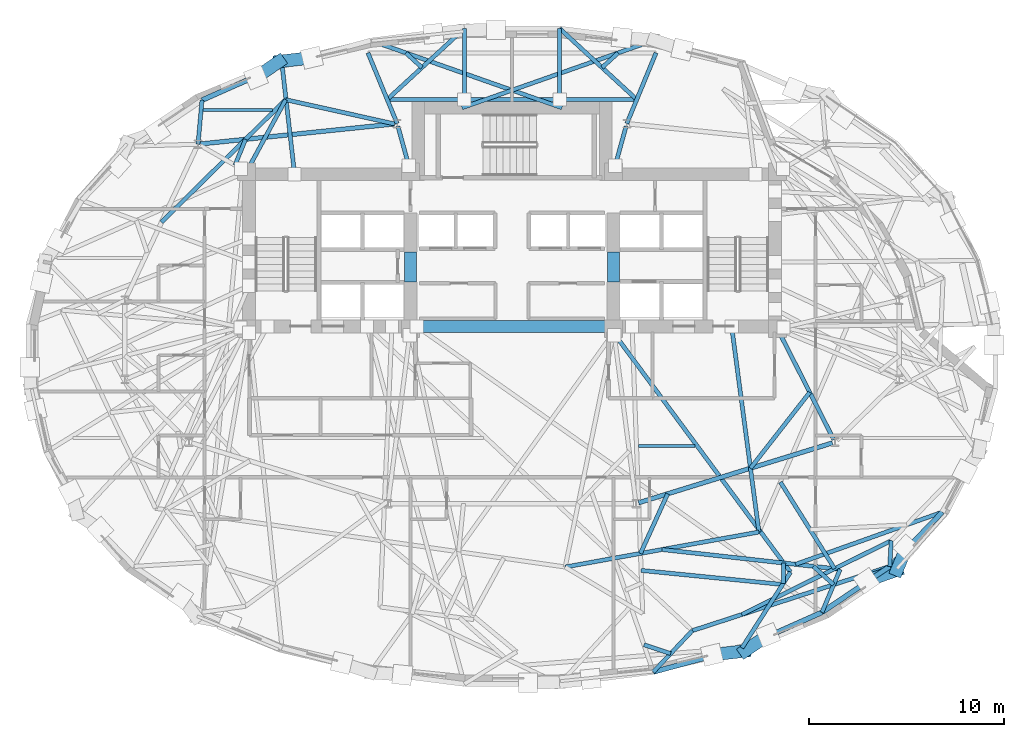
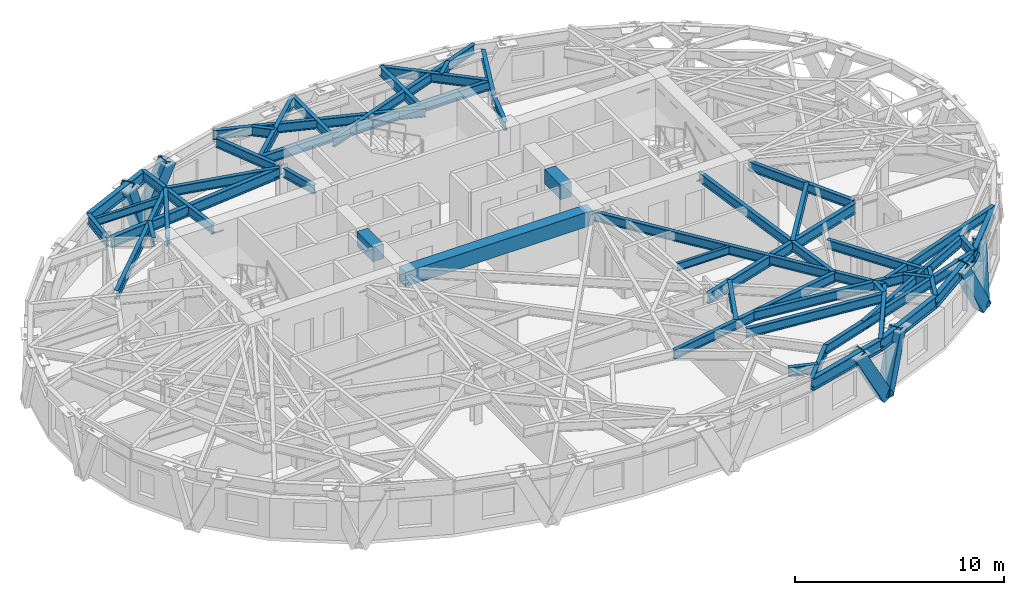
# One storey, part 3 of 15: 50 beams, 6 members.
"""IFC4 building model written with IfcOpenShell, lengths in metres."""

import ifcopenshell
import ifcopenshell.guid

model = None  # the IFC model being written
_history = None  # IfcOwnerHistory: only IFC2X3 demands one
_inside = {}  # id of a spatial element -> (the spatial element, [elements in it])
_under = {}  # id of a project, library or spatial element -> (it, [spatial elements below it])
_declared = {}  # id of a project -> (the project, [libraries it declares])
_typed = {}  # id of a type object -> (the type object, [elements of that type])
_made_of = {}  # id of a material, layer set ... -> (it, [elements and type objects made of it])


def new_model(schema):
    """Start an empty IFC model of exactly this schema.

    Asked for "IFC4X3", IfcOpenShell would pick the latest addendum, in which some entities
    have other attributes; the version numbers below select the first issue.
    IFC2X3 requires an IfcOwnerHistory on every rooted entity: one is made here for all.
    """
    global model, _history
    if schema == "IFC4X3":
        model = ifcopenshell.file(schema_version=(4, 3, 0, 0))
    else:
        model = ifcopenshell.file(schema=schema)
    _inside.clear()
    _under.clear()
    _declared.clear()
    _typed.clear()
    _made_of.clear()
    _history = None
    if model.schema == "IFC2X3":
        org = make("IfcOrganization", Name="unknown")
        user = make(
            "IfcPersonAndOrganization",
            ThePerson=make("IfcPerson", FamilyName="unknown"),
            TheOrganization=org,
        )
        app = make(
            "IfcApplication",
            ApplicationDeveloper=org,
            Version="unknown",
            ApplicationFullName="unknown",
            ApplicationIdentifier="unknown",
        )
        _history = make(
            "IfcOwnerHistory",
            OwningUser=user,
            OwningApplication=app,
            ChangeAction="ADDED",
            CreationDate=0,
        )
    return model


def make(cls, **values):
    """One entity of the class cls with the attributes given. An attribute that is None is left unset."""
    return model.create_entity(
        cls, **{name: value for name, value in values.items() if value is not None}
    )


def rooted(cls, **values):
    """An entity with a GlobalId (a new one), such as an element, a storey or a relation."""
    return make(cls, GlobalId=ifcopenshell.guid.new(), OwnerHistory=_history, **values)


def si_unit(unit_type, name, prefix=None):
    """IfcSIUnit, for example si_unit("LENGTHUNIT", "METRE", prefix="MILLI")."""
    return make("IfcSIUnit", UnitType=unit_type, Prefix=prefix, Name=name)


def assignment(units):
    """IfcUnitAssignment: the units of a project."""
    return None if units is None else make("IfcUnitAssignment", Units=units)


def point(xyz):
    """IfcCartesianPoint."""
    return None if xyz is None else make("IfcCartesianPoint", Coordinates=xyz)


def direction(xyz):
    """IfcDirection."""
    return None if xyz is None else make("IfcDirection", DirectionRatios=xyz)


def frame(location, z_axis=None, x_axis=None):
    """IfcAxis2Placement3D, a coordinate frame: its origin and axes. An axis left out is left unset."""
    return make(
        "IfcAxis2Placement3D",
        Location=point(location),
        Axis=direction(z_axis),
        RefDirection=direction(x_axis),
    )


def frame_2d(location, x_axis=None):
    """IfcAxis2Placement2D, a coordinate frame in the plane: its origin and x axis."""
    return make(
        "IfcAxis2Placement2D", Location=point(location), RefDirection=direction(x_axis)
    )


def origin():
    """The frame at (0, 0, 0) with its axes left unset."""
    return frame((0.0, 0.0, 0.0))


def origin_2d():
    """The frame at (0, 0) in the plane with its x axis left unset."""
    return frame_2d((0.0, 0.0))


def place(relative_to, where):
    """IfcLocalPlacement: puts the frame where relative to a parent placement (None: the world)."""
    return make(
        "IfcLocalPlacement", PlacementRelTo=relative_to, RelativePlacement=where
    )


def context(
    kind, dimensions, precision=None, world=None, true_north=None, identifier=None
):
    """IfcGeometricRepresentationContext, for example the 3D "Model" context."""
    return make(
        "IfcGeometricRepresentationContext",
        ContextIdentifier=identifier,
        ContextType=kind,
        CoordinateSpaceDimension=dimensions,
        Precision=precision,
        WorldCoordinateSystem=world,
        TrueNorth=true_north,
    )


def subcontext(parent, identifier, kind, view, scale=None):
    """IfcGeometricRepresentationSubContext, for example "Body" below "Model"."""
    return make(
        "IfcGeometricRepresentationSubContext",
        ContextIdentifier=identifier,
        ContextType=kind,
        ParentContext=parent,
        TargetScale=scale,
        TargetView=view,
    )


def project(units=None, contexts=None):
    """IfcProject with its units and contexts."""
    return rooted(
        "IfcProject",
        Name="project",
        RepresentationContexts=contexts,
        UnitsInContext=assignment(units),
    )


def spatial(cls, under=None, at=None, **own):
    """A site, building, storey or space (cls), placed at a placement, below another one or the project."""
    s = rooted(cls, ObjectPlacement=at, **own)
    if under is not None:
        _under.setdefault(under.id(), (under, []))[1].append(s)
    return s


def profile(cls, at=None, kind="AREA", **sizes):
    """A parametric profile (cls). Its sizes go by their IFC names, for example OverallWidth=200.0."""
    return make(cls, ProfileType=kind, Position=at, **sizes)


def rectangle(**sizes):
    """IfcRectangleProfileDef."""
    return profile("IfcRectangleProfileDef", **sizes)


def hollow_rectangle(**sizes):
    """IfcRectangleHollowProfileDef."""
    return profile("IfcRectangleHollowProfileDef", **sizes)


def i_section(**sizes):
    """IfcIShapeProfileDef."""
    return profile("IfcIShapeProfileDef", **sizes)


def extrude(swept, where, along, depth):
    """IfcExtrudedAreaSolid: the profile swept, set in the frame where, extruded along a direction by depth."""
    return make(
        "IfcExtrudedAreaSolid",
        SweptArea=swept,
        Position=where,
        ExtrudedDirection=direction(along),
        Depth=depth,
    )


def shape(context_of_items, identifier, shape_type, items):
    """IfcShapeRepresentation: the items that make up one representation, for example the "Body"."""
    return make(
        "IfcShapeRepresentation",
        ContextOfItems=context_of_items,
        RepresentationIdentifier=identifier,
        RepresentationType=shape_type,
        Items=items,
    )


def material(Name=None, Category=None):
    """IfcMaterial."""
    return make("IfcMaterial", Name=Name, Category=Category)


def material_profile(
    of_material, cross_section, Name=None, Category=None, Priority=None
):
    """IfcMaterialProfile: a cross section and its material."""
    return make(
        "IfcMaterialProfile",
        Name=Name,
        Material=of_material,
        Profile=cross_section,
        Priority=Priority,
        Category=Category,
    )


def profile_set(profiles, Name=None, composite=None):
    """IfcMaterialProfileSet."""
    return make(
        "IfcMaterialProfileSet",
        Name=Name,
        MaterialProfiles=profiles,
        CompositeProfile=composite,
    )


def made_of(thing, what):
    """Note that an element or type object is made of a material, layer set ...; save() writes the relation."""
    if what is not None:
        _made_of.setdefault(what.id(), (what, []))[1].append(thing)
    return thing


def type_object(cls, material=None, **own):
    """A type object (cls), such as IfcWallType, which elements share."""
    return made_of(rooted(cls, **own), material)


def element(
    cls,
    number,
    at=None,
    inside=None,
    cuts=None,
    type_object=None,
    material=None,
    context=None,
    identifier="Body",
    shape_type=None,
    held_by="IfcProductDefinitionShape",
    body=None,
    shapes=None,
    **own,
):
    """One element of the class cls, such as IfcWall. Its Tag is "e" and its number.

    at: its placement. inside: the storey or other place that contains it. cuts: it is an
    opening in that element (IfcRelVoidsElement). A single representation is given by context,
    identifier, shape_type and body (its items); several are given by shapes. held_by: the class
    of the entity that holds the representations. save() writes the other relations.
    """
    e = rooted(cls, Tag="e%d" % number, ObjectPlacement=at, **own)
    if body is not None:
        shapes = [shape(context, identifier, shape_type, body)]
    if shapes is not None:
        e.Representation = make(held_by, Representations=shapes)
    if inside is not None:
        _inside.setdefault(inside.id(), (inside, []))[1].append(e)
    if cuts is not None:
        rooted(
            "IfcRelVoidsElement", RelatingBuildingElement=cuts, RelatedOpeningElement=e
        )
    if type_object is not None:
        _typed.setdefault(type_object.id(), (type_object, []))[1].append(e)
    return made_of(e, material)


def aggregate(whole, parts):
    """IfcRelAggregates: a whole, such as a stair, and the parts it consists of."""
    return rooted("IfcRelAggregates", RelatingObject=whole, RelatedObjects=parts)


def save(model, path):
    """Write the relations noted so far, then the file.

    IfcRelAggregates (storeys below a building ...), IfcRelContainedInSpatialStructure (elements
    in a storey), IfcRelDefinesByType, IfcRelAssociatesMaterial and IfcRelDeclares: one each for
    every whole, place, type object, material and project.
    """
    for whole, parts in _under.values():
        aggregate(whole, parts)
    for where, things in _inside.values():
        rooted(
            "IfcRelContainedInSpatialStructure",
            RelatedElements=things,
            RelatingStructure=where,
        )
    for kind, things in _typed.values():
        rooted("IfcRelDefinesByType", RelatedObjects=things, RelatingType=kind)
    for what, things in _made_of.values():
        rooted("IfcRelAssociatesMaterial", RelatedObjects=things, RelatingMaterial=what)
    for by, libraries in _declared.values():
        rooted("IfcRelDeclares", RelatingContext=by, RelatedDefinitions=libraries)
    model.write(path)


model = new_model("IFC4")

# Units and contexts
model_context = context("Model", 3, precision=1e-05, world=origin(), true_north=direction((0.0, 1.0)))
body_context = subcontext(model_context, "Body", "Model", "MODEL_VIEW")
ifc_project = project(units=[si_unit("LENGTHUNIT", "METRE"), si_unit("AREAUNIT", "SQUARE_METRE"), si_unit("VOLUMEUNIT", "CUBIC_METRE"), si_unit("PLANEANGLEUNIT", "RADIAN"), si_unit("MASSUNIT", "GRAM", prefix="KILO")], contexts=[model_context])

# Site, building, storey
site_placement = place(None, origin())
site = spatial("IfcSite", under=ifc_project, at=site_placement, CompositionType="ELEMENT")
building_placement = place(site_placement, origin())
building = spatial("IfcBuilding", under=site, at=building_placement, Name="Keldmark Tower", CompositionType="ELEMENT")
storey_placement = place(building_placement, frame((0.0, 0.0, 156.60009765625)))
storey = spatial("IfcBuildingStorey", under=building, at=storey_placement, Name="L42", CompositionType="ELEMENT", Elevation=156.60009765625)

# Beams
ifc_material_1 = material(Name="Steel ASTM A992 Grade 50", Category="steel")
ifc_material_profile_1 = material_profile(ifc_material_1, i_section(OverallWidth=0.153076171875, OverallDepth=0.455078125, WebThickness=0.008056640625, FlangeThickness=0.01318359375, at=origin_2d()), Name="W18X40")
ifc_profile_set_1 = profile_set([ifc_material_profile_1], Name="Steel ASTM A992 Grade 50")
beam_type_1 = type_object("IfcBeamType", Name="Composite Floor Joist W18X40", PredefinedType="JOIST", material=ifc_profile_set_1)
beam_1_placement = place(storey_placement, frame((6.473388671875, -4.60009765625, 2.79248046875), z_axis=(1.0, 0.0, 0.0), x_axis=(0.0, 1.0, 0.0)))
element("IfcBeam", 1, at=beam_1_placement, inside=storey, type_object=beam_type_1, Name="L42 Composite Floor Joist J04", PredefinedType="JOIST", context=body_context, shape_type="SweptSolid", body=[
    extrude(i_section(OverallWidth=0.153076171875, OverallDepth=0.455078125, WebThickness=0.008056640625, FlangeThickness=0.01318359375, at=origin_2d()), origin(), (0.0, 0.0, 1.0), 2.89453125),
])
beam_2_placement = place(storey_placement, frame((-15.827880859375, 12.6201171875, 2.79248046875), z_axis=(1.0, 0.0, 0.0), x_axis=(0.0, 1.0, 0.0)))
element("IfcBeam", 2, at=beam_2_placement, inside=storey, type_object=beam_type_1, Name="L42 Composite Floor Joist J07", PredefinedType="JOIST", context=body_context, shape_type="SweptSolid", body=[
    extrude(i_section(OverallWidth=0.153076171875, OverallDepth=0.455078125, WebThickness=0.008056640625, FlangeThickness=0.01318359375, at=origin_2d()), origin(), (0.0, 0.0, 1.0), 3.567626953125),
])
ifc_material_2 = material(Name="Concrete C50/60", Category="concrete")
ifc_material_profile_2 = material_profile(ifc_material_2, rectangle(XDim=0.60009765625, YDim=0.85009765625, at=origin_2d()), Name="RCB600X850")
ifc_profile_set_2 = profile_set([ifc_material_profile_2], Name="Concrete C50/60")
beam_type_2 = type_object("IfcBeamType", Name="Core Coupling Beam RCB600X850", PredefinedType="USERDEFINED", material=ifc_profile_set_2)
for number, where, z_axis, x_axis, name in (
    (3, (-5.199951171875, 3.800048828125, 2.594970703125), (0.0, 1.0, 0.0), (-1.0, 0.0, 0.0), "L42 West Core Coupling Beam"),
    (4, (5.199951171875, 3.800048828125, 2.594970703125), (0.0, 1.0, 0.0), (-1.0, 0.0, 0.0), "L42 East Core Coupling Beam"),
):
    element("IfcBeam", number, at=place(storey_placement, frame(where, z_axis=z_axis, x_axis=x_axis)), inside=storey, type_object=beam_type_2, Name=name, ObjectType="COUPLING BEAM", PredefinedType="USERDEFINED", context=body_context, shape_type="SweptSolid", body=[
        extrude(rectangle(XDim=0.60009765625, YDim=0.85009765625, at=origin_2d()), origin(), (0.0, 0.0, 1.0), 1.550048828125),
    ])
beam_3_placement = place(storey_placement, frame((-5.199951171875, 1.52490234375, 2.594970703125), z_axis=(1.0, 0.0, 0.0), x_axis=(0.0, 1.0, 0.0)))
element("IfcBeam", 5, at=beam_3_placement, inside=storey, type_object=beam_type_2, Name="L42 Central South Core Coupling Beam", ObjectType="COUPLING BEAM", PredefinedType="USERDEFINED", context=body_context, shape_type="SweptSolid", body=[
    extrude(rectangle(XDim=0.60009765625, YDim=0.85009765625, at=origin_2d()), origin(), (0.0, 0.0, 1.0), 10.39990234375),
])

# Members
ifc_material_3 = material(Name="Steel ASTM A572 Grade 50", Category="steel")
ifc_material_profile_3 = material_profile(ifc_material_3, hollow_rectangle(XDim=0.64990234375, YDim=0.64990234375, WallThickness=0.0400390625, at=origin_2d()), Name="BOX650X650X40")
ifc_profile_set_3 = profile_set([ifc_material_profile_3], Name="Steel ASTM A572 Grade 50")
member_type = type_object("IfcMemberType", Name="Diagrid Zone 3 Brace BOX650X650X40", PredefinedType="BRACE", material=ifc_profile_set_3)
member_1_placement = place(storey_placement, frame((-11.931640625, 15.09619140625, -0.260009765625), z_axis=(0.469624722249, 0.0546011927, 0.881176106127), x_axis=(-0.115487641556, 0.993308917028, 0.0)))
element("IfcMember", 6, at=member_1_placement, inside=storey, type_object=member_type, Name="L42 Perimeter Diagrid Brace 05B", PredefinedType="BRACE", context=body_context, shape_type="SweptSolid", body=[
    extrude(hollow_rectangle(XDim=0.64990234375, YDim=0.64990234375, WallThickness=0.0400390625, at=origin_2d()), origin(), (0.0, 0.0, 1.0), 3.5859375),
])
member_2_placement = place(storey_placement, frame((-11.920654296875, 15.1005859375, -0.260009765625), z_axis=(-0.34419875202, -0.2365094015, 0.908620119803), x_axis=(0.566321915276, -0.824184134935, 0.0)))
element("IfcMember", 7, at=member_2_placement, inside=storey, type_object=member_type, Name="L42 Perimeter Diagrid Brace 06A", PredefinedType="BRACE", context=body_context, shape_type="SweptSolid", body=[
    extrude(hollow_rectangle(XDim=0.64990234375, YDim=0.64990234375, WallThickness=0.0400390625, at=origin_2d()), origin(), (0.0, 0.0, 1.0), 3.477783203125),
])
member_3_placement = place(storey_placement, frame((11.931640625, -15.09619140625, -0.260009765625), z_axis=(-0.469624722249, -0.0546011927, 0.881176106127), x_axis=(0.115487641556, -0.993308917028, 0.0)))
element("IfcMember", 8, at=member_3_placement, inside=storey, type_object=member_type, Name="L42 Perimeter Diagrid Brace 13B", PredefinedType="BRACE", context=body_context, shape_type="SweptSolid", body=[
    extrude(hollow_rectangle(XDim=0.64990234375, YDim=0.64990234375, WallThickness=0.0400390625, at=origin_2d()), origin(), (0.0, 0.0, 1.0), 3.5859375),
])
member_4_placement = place(storey_placement, frame((11.920654296875, -15.1005859375, -0.260009765625), z_axis=(0.34419875202, 0.2365094015, 0.908620119803), x_axis=(-0.566321915276, 0.824184134935, 0.0)))
element("IfcMember", 9, at=member_4_placement, inside=storey, type_object=member_type, Name="L42 Perimeter Diagrid Brace 14A", PredefinedType="BRACE", context=body_context, shape_type="SweptSolid", body=[
    extrude(hollow_rectangle(XDim=0.64990234375, YDim=0.64990234375, WallThickness=0.0400390625, at=origin_2d()), origin(), (0.0, 0.0, 1.0), 3.477783203125),
])
member_5_placement = place(storey_placement, frame((19.728515625, -10.94970703125, -0.260009765625), z_axis=(-0.440330423973, -0.15463497043, 0.884419099547), x_axis=(0.331341573363, -0.943510869975, 0.0)))
element("IfcMember", 10, at=member_5_placement, inside=storey, type_object=member_type, Name="L42 Perimeter Diagrid Brace 14B", PredefinedType="BRACE", context=body_context, shape_type="SweptSolid", body=[
    extrude(hollow_rectangle(XDim=0.64990234375, YDim=0.64990234375, WallThickness=0.0400390625, at=origin_2d()), origin(), (0.0, 0.0, 1.0), 3.57275390625),
])
member_6_placement = place(storey_placement, frame((19.72021484375, -10.9580078125, -0.260009765625), z_axis=(0.140908347292, 0.34070805278, 0.929549816005), x_axis=(-0.924088009016, 0.382179737287, 0.0)))
element("IfcMember", 11, at=member_6_placement, inside=storey, type_object=member_type, Name="L42 Perimeter Diagrid Brace 15A", PredefinedType="BRACE", context=body_context, shape_type="SweptSolid", body=[
    extrude(hollow_rectangle(XDim=0.64990234375, YDim=0.64990234375, WallThickness=0.0400390625, at=origin_2d()), origin(), (0.0, 0.0, 1.0), 3.3994140625),
])

# Beams
ifc_material_4 = material(Name="Steel ASTM A992 Grade 50", Category="steel")
ifc_material_profile_4 = material_profile(ifc_material_4, i_section(OverallWidth=0.22900390625, OverallDepth=0.612060546875, WebThickness=0.011962890625, FlangeThickness=0.01953125, at=origin_2d()), Name="W24X84")
ifc_profile_set_4 = profile_set([ifc_material_profile_4], Name="Steel ASTM A992 Grade 50")
beam_type_3 = type_object("IfcBeamType", Name="Primary Floor Girder W24X84", PredefinedType="BEAM", material=ifc_profile_set_4)
beam_4_placement = place(storey_placement, frame((-6.01953125, 11.90087890625, 2.7138671875), z_axis=(-0.994702930931, -0.102791435423, 0.0), x_axis=(0.102791435423, -0.994702930931, 0.0)))
element("IfcBeam", 12, at=beam_4_placement, inside=storey, type_object=beam_type_3, Name="L42 Floor Ring Girder FG-R04", PredefinedType="BEAM", context=body_context, shape_type="SweptSolid", body=[
    extrude(i_section(OverallWidth=0.22900390625, OverallDepth=0.612060546875, WebThickness=0.011962890625, FlangeThickness=0.01953125, at=origin_2d()), origin(), (0.0, 0.0, 1.0), 9.975341796875),
])
beam_5_placement = place(storey_placement, frame((6.485107421875, -7.5048828125, 2.7138671875), z_axis=(0.955494563145, 0.295008711398, 0.0), x_axis=(-0.295008711398, 0.955494563145, 0.0)))
element("IfcBeam", 13, at=beam_5_placement, inside=storey, type_object=beam_type_3, Name="L42 Floor Ring Girder FG-R10", PredefinedType="BEAM", context=body_context, shape_type="SweptSolid", body=[
    extrude(i_section(OverallWidth=0.22900390625, OverallDepth=0.612060546875, WebThickness=0.011962890625, FlangeThickness=0.01953125, at=origin_2d()), origin(), (0.0, 0.0, 1.0), 10.39013671875),
])
ifc_material_5 = material(Name="Steel ASTM A992 Grade 50", Category="steel")
ifc_material_profile_5 = material_profile(ifc_material_5, i_section(OverallWidth=0.2099609375, OverallDepth=0.537109375, WebThickness=0.010986328125, FlangeThickness=0.017333984375, at=origin_2d()), Name="W21X68")
ifc_profile_set_5 = profile_set([ifc_material_profile_5], Name="Steel ASTM A992 Grade 50")
beam_type_4 = type_object("IfcBeamType", Name="Radial Tie Girder W21X68", PredefinedType="BEAM", material=ifc_profile_set_5)
for number, where, z_axis, x_axis, name in (
    (14, (5.843017578125, 11.7802734375, 2.75146484375), (-0.265992411, -0.963975122755, 0.0), (0.963975122755, -0.265992411, 0.0), "L42 Floor Radial Girder FG-C03"),
    (15, (-5.843017578125, 11.7802734375, 2.75146484375), (0.265992411, -0.963975122755, 0.0), (0.963975122755, 0.265992411, 0.0), "L42 Floor Radial Girder FG-C04"),
):
    element("IfcBeam", number, at=place(storey_placement, frame(where, z_axis=z_axis, x_axis=x_axis)), inside=storey, type_object=beam_type_4, Name=name, PredefinedType="BEAM", context=body_context, shape_type="SweptSolid", body=[
        extrude(i_section(OverallWidth=0.2099609375, OverallDepth=0.537109375, WebThickness=0.010986328125, FlangeThickness=0.017333984375, at=origin_2d()), origin(), (0.0, 0.0, 1.0), 2.09716796875),
    ])
beam_6_placement = place(storey_placement, frame((16.4833984375, -4.273681640625, 2.75146484375), z_axis=(-0.453036691775, 0.891491870914, 0.0), x_axis=(-0.891491870914, -0.453036691775, 0.0)))
element("IfcBeam", 16, at=beam_6_placement, inside=storey, type_object=beam_type_4, Name="L42 Floor Radial Girder FG-C11", PredefinedType="BEAM", context=body_context, shape_type="SweptSolid", body=[
    extrude(i_section(OverallWidth=0.2099609375, OverallDepth=0.537109375, WebThickness=0.010986328125, FlangeThickness=0.017333984375, at=origin_2d()), origin(), (0.0, 0.0, 1.0), 6.044189453125),
])
beam_7_placement = place(storey_placement, frame((15.251220703125, -1.848876953125, 2.75146484375), z_axis=(-0.61556718814, -0.788084409746, 0.0), x_axis=(0.788084409746, -0.61556718814, 0.0)))
element("IfcBeam", 17, at=beam_7_placement, inside=storey, type_object=beam_type_4, Name="L42 Framing Pin Header PH-008", PredefinedType="BEAM", context=body_context, shape_type="SweptSolid", body=[
    extrude(i_section(OverallWidth=0.2099609375, OverallDepth=0.537109375, WebThickness=0.010986328125, FlangeThickness=0.017333984375, at=origin_2d()), origin(), (0.0, 0.0, 1.0), 4.931884765625),
])
beam_8_placement = place(storey_placement, frame((11.25, 1.52490234375, 2.75146484375), z_axis=(0.131788779406, -0.991277820605, 0.0), x_axis=(0.991277820605, 0.131788779406, 0.0)))
element("IfcBeam", 18, at=beam_8_placement, inside=storey, type_object=beam_type_4, Name="L42 Sub-Ring Step Girder STP2-M11", PredefinedType="BEAM", context=body_context, shape_type="SweptSolid", body=[
    extrude(i_section(OverallWidth=0.2099609375, OverallDepth=0.537109375, WebThickness=0.010986328125, FlangeThickness=0.017333984375, at=origin_2d()), origin(), (0.0, 0.0, 1.0), 10.620361328125),
])
beam_9_placement = place(storey_placement, frame((2.723876953125, -10.796142578125, 2.75146484375), z_axis=(0.984069515752, 0.1777841055, 0.0), x_axis=(-0.1777841055, 0.984069515752, 0.0)))
element("IfcBeam", 19, at=beam_9_placement, inside=storey, type_object=beam_type_4, Name="L42 Perimeter Collector Ring Beam CRG2-M10", PredefinedType="BEAM", context=body_context, shape_type="SweptSolid", body=[
    extrude(i_section(OverallWidth=0.2099609375, OverallDepth=0.537109375, WebThickness=0.010986328125, FlangeThickness=0.017333984375, at=origin_2d()), origin(), (0.0, 0.0, 1.0), 10.08642578125),
])
beam_10_placement = place(storey_placement, frame((-14.1904296875, 9.78564453125, 2.75146484375), z_axis=(0.377464687755, 0.9260239789, 0.0), x_axis=(-0.9260239789, 0.377464687755, 0.0)))
element("IfcBeam", 20, at=beam_10_placement, inside=storey, type_object=beam_type_4, Name="L42 Framing Pin Header PH-013", PredefinedType="BEAM", context=body_context, shape_type="SweptSolid", body=[
    extrude(i_section(OverallWidth=0.2099609375, OverallDepth=0.537109375, WebThickness=0.010986328125, FlangeThickness=0.017333984375, at=origin_2d()), origin(), (0.0, 0.0, 1.0), 1.4326171875),
])
beam_11_placement = place(storey_placement, frame((-17.954833984375, 6.864990234375, 2.75146484375), z_axis=(0.711871580228, 0.702309656251, 0.0), x_axis=(-0.702309656251, 0.711871580228, 0.0)))
element("IfcBeam", 21, at=beam_11_placement, inside=storey, type_object=beam_type_4, Name="L42 Intermediate Radial Step Girder RT-11M", PredefinedType="BEAM", context=body_context, shape_type="SweptSolid", body=[
    extrude(i_section(OverallWidth=0.2099609375, OverallDepth=0.537109375, WebThickness=0.010986328125, FlangeThickness=0.017333984375, at=origin_2d()), origin(), (0.0, 0.0, 1.0), 8.9365234375),
])
beam_12_placement = place(storey_placement, frame((-13.60009765625, 9.449951171875, 2.75146484375), z_axis=(0.477654717375, 0.878547648662, 0.0), x_axis=(-0.878547648662, 0.477654717375, 0.0)))
element("IfcBeam", 22, at=beam_12_placement, inside=storey, type_object=beam_type_4, Name="L42 Local Collector Chord RT-11C", PredefinedType="BEAM", context=body_context, shape_type="SweptSolid", body=[
    extrude(i_section(OverallWidth=0.2099609375, OverallDepth=0.537109375, WebThickness=0.010986328125, FlangeThickness=0.017333984375, at=origin_2d()), origin(), (0.0, 0.0, 1.0), 4.201416015625),
])
beam_13_placement = place(storey_placement, frame((-16.08154296875, 10.861083984375, 2.75146484375), z_axis=(0.089048441045, 0.996027296387, 0.0), x_axis=(-0.996027296387, 0.089048441045, 0.0)))
element("IfcBeam", 23, at=beam_13_placement, inside=storey, type_object=beam_type_4, Name="L42 Perimeter Column Bracket RT-12", PredefinedType="BEAM", context=body_context, shape_type="SweptSolid", body=[
    extrude(i_section(OverallWidth=0.2099609375, OverallDepth=0.537109375, WebThickness=0.010986328125, FlangeThickness=0.017333984375, at=origin_2d()), origin(), (0.0, 0.0, 1.0), 2.2646484375),
])
beam_14_placement = place(storey_placement, frame((7.97412109375, -7.045166015625, 2.75146484375), z_axis=(-0.414953421551, -0.909842655597, 0.0), x_axis=(0.909842655597, -0.414953421551, 0.0)))
element("IfcBeam", 24, at=beam_14_placement, inside=storey, type_object=beam_type_4, Name="L42 Framing Pin Header PH-026", PredefinedType="BEAM", context=body_context, shape_type="SweptSolid", body=[
    extrude(i_section(OverallWidth=0.2099609375, OverallDepth=0.537109375, WebThickness=0.010986328125, FlangeThickness=0.017333984375, at=origin_2d()), origin(), (0.0, 0.0, 1.0), 3.356689453125),
])
beam_15_placement = place(storey_placement, frame((7.23681640625, -16.171875, 2.75146484375), z_axis=(0.686997697273, 0.726659592892, 0.0), x_axis=(-0.726659592892, 0.686997697273, 0.0)))
element("IfcBeam", 25, at=beam_15_placement, inside=storey, type_object=beam_type_4, Name="L42 Local Collector Chord RT-27C", PredefinedType="BEAM", context=body_context, shape_type="SweptSolid", body=[
    extrude(i_section(OverallWidth=0.2099609375, OverallDepth=0.537109375, WebThickness=0.010986328125, FlangeThickness=0.017333984375, at=origin_2d()), origin(), (0.0, 0.0, 1.0), 2.91162109375),
])
beam_16_placement = place(storey_placement, frame((6.758544921875, -14.777099609375, 2.75146484375), z_axis=(0.949660375702, -0.313281296636, 0.0), x_axis=(0.313281296636, 0.949660375702, 0.0)))
element("IfcBeam", 26, at=beam_16_placement, inside=storey, type_object=beam_type_4, Name="L42 Framing Pin Header PH-029", PredefinedType="BEAM", context=body_context, shape_type="SweptSolid", body=[
    extrude(i_section(OverallWidth=0.2099609375, OverallDepth=0.537109375, WebThickness=0.010986328125, FlangeThickness=0.017333984375, at=origin_2d()), origin(), (0.0, 0.0, 1.0), 1.4423828125),
])
beam_17_placement = place(storey_placement, frame((5.199951171875, 1.199951171875, 2.75146484375), z_axis=(0.59453422217, -0.804070307043, 0.0), x_axis=(0.804070307043, 0.59453422217, 0.0)))
element("IfcBeam", 27, at=beam_17_placement, inside=storey, type_object=beam_type_4, Name="L42 Intermediate Radial Step Girder RT-28M", PredefinedType="BEAM", context=body_context, shape_type="SweptSolid", body=[
    extrude(i_section(OverallWidth=0.2099609375, OverallDepth=0.537109375, WebThickness=0.010986328125, FlangeThickness=0.017333984375, at=origin_2d()), origin(), (0.0, 0.0, 1.0), 15.2470703125),
])
beam_18_placement = place(storey_placement, frame((11.77880859375, -14.93798828125, 2.75146484375), z_axis=(0.539677672461, 0.841871730044, 0.0), x_axis=(-0.841871730044, 0.539677672461, 0.0)))
element("IfcBeam", 28, at=beam_18_placement, inside=storey, type_object=beam_type_4, Name="L42 Local Collector Chord RT-28C", PredefinedType="BEAM", context=body_context, shape_type="SweptSolid", body=[
    extrude(i_section(OverallWidth=0.2099609375, OverallDepth=0.537109375, WebThickness=0.010986328125, FlangeThickness=0.017333984375, at=origin_2d()), origin(), (0.0, 0.0, 1.0), 4.606689453125),
])
beam_19_placement = place(storey_placement, frame((6.613525390625, -10.96923828125, 2.75146484375), z_axis=(0.995067350414, -0.099201653916, 0.0), x_axis=(0.099201653916, 0.995067350414, 0.0)))
element("IfcBeam", 29, at=beam_19_placement, inside=storey, type_object=beam_type_4, Name="L42 Framing Pin Header PH-030", PredefinedType="BEAM", context=body_context, shape_type="SweptSolid", body=[
    extrude(i_section(OverallWidth=0.2099609375, OverallDepth=0.537109375, WebThickness=0.010986328125, FlangeThickness=0.017333984375, at=origin_2d()), origin(), (0.0, 0.0, 1.0), 7.2822265625),
])
beam_20_placement = place(storey_placement, frame((13.891845703125, -11.6416015625, 2.75146484375), z_axis=(0.02533480898, 0.999679022214, 0.0), x_axis=(-0.999679022214, 0.02533480898, 0.0)))
element("IfcBeam", 30, at=beam_20_placement, inside=storey, type_object=beam_type_4, Name="L42 Framing Pin Header PH-031", PredefinedType="BEAM", context=body_context, shape_type="SweptSolid", body=[
    extrude(i_section(OverallWidth=0.2099609375, OverallDepth=0.537109375, WebThickness=0.010986328125, FlangeThickness=0.017333984375, at=origin_2d()), origin(), (0.0, 0.0, 1.0), 1.05029296875),
])
beam_21_placement = place(storey_placement, frame((7.686767578125, -9.8994140625, 2.75146484375), z_axis=(0.993889248992, -0.110381885916, 0.0), x_axis=(0.110381885916, 0.993889248992, 0.0)))
element("IfcBeam", 31, at=beam_21_placement, inside=storey, type_object=beam_type_4, Name="L42 Intermediate Radial Step Girder RT-29M", PredefinedType="BEAM", context=body_context, shape_type="SweptSolid", body=[
    extrude(i_section(OverallWidth=0.2099609375, OverallDepth=0.537109375, WebThickness=0.010986328125, FlangeThickness=0.017333984375, at=origin_2d()), origin(), (0.0, 0.0, 1.0), 9.1767578125),
])
beam_22_placement = place(storey_placement, frame((15.8798828125, -13.11669921875, 2.75146484375), z_axis=(0.387824231892, 0.921733348185, 0.0), x_axis=(-0.921733348185, 0.387824231892, 0.0)))
element("IfcBeam", 32, at=beam_22_placement, inside=storey, type_object=beam_type_4, Name="L42 Local Collector Chord RT-29C", PredefinedType="BEAM", context=body_context, shape_type="SweptSolid", body=[
    extrude(i_section(OverallWidth=0.2099609375, OverallDepth=0.537109375, WebThickness=0.010986328125, FlangeThickness=0.017333984375, at=origin_2d()), origin(), (0.0, 0.0, 1.0), 2.3916015625),
])
beam_23_placement = place(storey_placement, frame((15.439208984375, -10.760498046875, 2.75146484375), z_axis=(0.740981524203, -0.671525413361, 0.0), x_axis=(0.671525413361, 0.740981524203, 0.0)))
element("IfcBeam", 33, at=beam_23_placement, inside=storey, type_object=beam_type_4, Name="L42 Framing Pin Header PH-032", PredefinedType="BEAM", context=body_context, shape_type="SweptSolid", body=[
    extrude(i_section(OverallWidth=0.2099609375, OverallDepth=0.537109375, WebThickness=0.010986328125, FlangeThickness=0.017333984375, at=origin_2d()), origin(), (0.0, 0.0, 1.0), 1.39892578125),
])
beam_24_placement = place(storey_placement, frame((9.237060546875, -14.05615234375, 2.75146484375), z_axis=(0.950900030318, 0.309498194407, 0.0), x_axis=(-0.309498194407, 0.950900030318, 0.0)))
element("IfcBeam", 34, at=beam_24_placement, inside=storey, type_object=beam_type_4, Name="L42 Perimeter Radial Tie Girder RT-29", PredefinedType="BEAM", context=body_context, shape_type="SweptSolid", body=[
    extrude(i_section(OverallWidth=0.2099609375, OverallDepth=0.537109375, WebThickness=0.010986328125, FlangeThickness=0.017333984375, at=origin_2d()), origin(), (0.0, 0.0, 1.0), 10.635009765625),
])
beam_25_placement = place(storey_placement, frame((13.748779296875, -6.447998046875, 2.75146484375), z_axis=(0.530665942511, -0.847581062471, 0.0), x_axis=(0.847581062471, 0.530665942511, 0.0)))
element("IfcBeam", 35, at=beam_25_placement, inside=storey, type_object=beam_type_4, Name="L42 Framing Pin Header PH-033", PredefinedType="BEAM", context=body_context, shape_type="SweptSolid", body=[
    extrude(i_section(OverallWidth=0.2099609375, OverallDepth=0.537109375, WebThickness=0.010986328125, FlangeThickness=0.017333984375, at=origin_2d()), origin(), (0.0, 0.0, 1.0), 5.22998046875),
])
beam_26_placement = place(storey_placement, frame((11.765380859375, -13.233154296875, 2.75146484375), z_axis=(0.896464468834, 0.443115623871, 0.0), x_axis=(-0.443115623871, 0.896464468834, 0.0)))
element("IfcBeam", 36, at=beam_26_placement, inside=storey, type_object=beam_type_4, Name="L42 Intermediate Radial Step Girder RT-30M", PredefinedType="BEAM", context=body_context, shape_type="SweptSolid", body=[
    extrude(i_section(OverallWidth=0.2099609375, OverallDepth=0.537109375, WebThickness=0.010986328125, FlangeThickness=0.017333984375, at=origin_2d()), origin(), (0.0, 0.0, 1.0), 8.541015625),
])
beam_27_placement = place(storey_placement, frame((19.349853515625, -10.7646484375, 2.75146484375), z_axis=(0.054823748843, 0.998496047345, 0.0), x_axis=(-0.998496047345, 0.054823748843, 0.0)))
element("IfcBeam", 37, at=beam_27_placement, inside=storey, type_object=beam_type_4, Name="L42 Local Collector Chord RT-30C", PredefinedType="BEAM", context=body_context, shape_type="SweptSolid", body=[
    extrude(i_section(OverallWidth=0.2099609375, OverallDepth=0.537109375, WebThickness=0.010986328125, FlangeThickness=0.017333984375, at=origin_2d()), origin(), (0.0, 0.0, 1.0), 1.318115234375),
])
for number, where, z_axis, x_axis, name in (
    (38, (-5.880126953125, 11.915283203125, 2.75146484375), (-0.381836487795, 0.924229893797, 0.0), (-0.924229893797, -0.381836487795, 0.0), "L42 North Column Cantilever Girder West FG-TCN-W"),
    (39, (5.880126953125, 11.915283203125, 2.75146484375), (0.381836487795, 0.924229893797, 0.0), (-0.924229893797, 0.381836487795, 0.0), "L42 North Column Cantilever Girder East FG-TCN-E"),
):
    element("IfcBeam", number, at=place(storey_placement, frame(where, z_axis=z_axis, x_axis=x_axis)), inside=storey, type_object=beam_type_4, Name=name, PredefinedType="BEAM", context=body_context, shape_type="SweptSolid", body=[
        extrude(i_section(OverallWidth=0.2099609375, OverallDepth=0.537109375, WebThickness=0.010986328125, FlangeThickness=0.017333984375, at=origin_2d()), origin(), (0.0, 0.0, 1.0), 3.920166015625),
    ])
beam_28_placement = place(storey_placement, frame((-6.390380859375, 13.14990234375, 2.75146484375), z_axis=(1.0, 0.0, 0.0), x_axis=(0.0, 1.0, 0.0)))
element("IfcBeam", 40, at=beam_28_placement, inside=storey, type_object=beam_type_4, Name="L42 North Inner Header Girder FG-TCN-H0", PredefinedType="BEAM", context=body_context, shape_type="SweptSolid", body=[
    extrude(i_section(OverallWidth=0.2099609375, OverallDepth=0.537109375, WebThickness=0.010986328125, FlangeThickness=0.017333984375, at=origin_2d()), origin(), (0.0, 0.0, 1.0), 12.78076171875),
])
for number, where, z_axis, x_axis, name in (
    (41, (2.439208984375, 13.14990234375, 2.75146484375), (0.0, 1.0, 0.0), (-1.0, 0.0, 0.0), "L42 North Continuous Radial Girder RT-08N"),
    (42, (-2.439208984375, 13.14990234375, 2.75146484375), (0.0, 1.0, 0.0), (-1.0, 0.0, 0.0), "L42 North Continuous Radial Girder RT-09N"),
):
    element("IfcBeam", number, at=place(storey_placement, frame(where, z_axis=z_axis, x_axis=x_axis)), inside=storey, type_object=beam_type_4, Name=name, PredefinedType="BEAM", context=body_context, shape_type="SweptSolid", body=[
        extrude(i_section(OverallWidth=0.2099609375, OverallDepth=0.537109375, WebThickness=0.010986328125, FlangeThickness=0.017333984375, at=origin_2d()), origin(), (0.0, 0.0, 1.0), 3.63818359375),
    ])
beam_29_placement = place(storey_placement, frame((6.390380859375, 13.14990234375, 2.75146484375), z_axis=(-0.735642853737, 0.677369612357, 0.0), x_axis=(-0.677369612357, -0.735642853737, 0.0)))
element("IfcBeam", 43, at=beam_29_placement, inside=storey, type_object=beam_type_4, Name="L42 Straddling Support Chord RT-07RB", PredefinedType="BEAM", context=body_context, shape_type="SweptSolid", body=[
    extrude(i_section(OverallWidth=0.2099609375, OverallDepth=0.537109375, WebThickness=0.010986328125, FlangeThickness=0.017333984375, at=origin_2d()), origin(), (0.0, 0.0, 1.0), 5.37109375),
])
beam_30_placement = place(storey_placement, frame((4.6123046875, 14.787109375, 2.75146484375), z_axis=(0.738779417209, 0.673947307071, 0.0), x_axis=(-0.673947307071, 0.738779417209, 0.0)))
element("IfcBeam", 44, at=beam_30_placement, inside=storey, type_object=beam_type_4, Name="L42 Framing Pin Header PH-037", PredefinedType="BEAM", context=body_context, shape_type="SweptSolid", body=[
    extrude(i_section(OverallWidth=0.2099609375, OverallDepth=0.537109375, WebThickness=0.010986328125, FlangeThickness=0.017333984375, at=origin_2d()), origin(), (0.0, 0.0, 1.0), 1.11474609375),
])
beam_31_placement = place(storey_placement, frame((-2.5625, 12.72509765625, 2.75146484375), z_axis=(0.943346452772, 0.331809388117, 0.0), x_axis=(-0.331809388117, 0.943346452772, 0.0)))
element("IfcBeam", 45, at=beam_31_placement, inside=storey, type_object=beam_type_4, Name="L42 Perimeter Radial Tie Girder RT-07R", PredefinedType="BEAM", context=body_context, shape_type="SweptSolid", body=[
    extrude(i_section(OverallWidth=0.2099609375, OverallDepth=0.537109375, WebThickness=0.010986328125, FlangeThickness=0.017333984375, at=origin_2d()), origin(), (0.0, 0.0, 1.0), 10.387939453125),
])
beam_32_placement = place(storey_placement, frame((-2.439208984375, 16.7880859375, 2.75146484375), z_axis=(-0.735642853737, -0.677369612357, 0.0), x_axis=(0.677369612357, -0.735642853737, 0.0)))
element("IfcBeam", 46, at=beam_32_placement, inside=storey, type_object=beam_type_4, Name="L42 Straddling Support Chord RT-10RB", PredefinedType="BEAM", context=body_context, shape_type="SweptSolid", body=[
    extrude(i_section(OverallWidth=0.2099609375, OverallDepth=0.537109375, WebThickness=0.010986328125, FlangeThickness=0.017333984375, at=origin_2d()), origin(), (0.0, 0.0, 1.0), 5.37109375),
])
beam_33_placement = place(storey_placement, frame((-4.6123046875, 14.787109375, 2.75146484375), z_axis=(-0.738779417209, 0.673947307071, 0.0), x_axis=(-0.673947307071, -0.738779417209, 0.0)))
element("IfcBeam", 47, at=beam_33_placement, inside=storey, type_object=beam_type_4, Name="L42 Framing Pin Header PH-038", PredefinedType="BEAM", context=body_context, shape_type="SweptSolid", body=[
    extrude(i_section(OverallWidth=0.2099609375, OverallDepth=0.537109375, WebThickness=0.010986328125, FlangeThickness=0.017333984375, at=origin_2d()), origin(), (0.0, 0.0, 1.0), 1.11474609375),
])
beam_34_placement = place(storey_placement, frame((2.5625, 12.72509765625, 2.75146484375), z_axis=(-0.943346452772, 0.331809388117, 0.0), x_axis=(-0.331809388117, -0.943346452772, 0.0)))
element("IfcBeam", 48, at=beam_34_placement, inside=storey, type_object=beam_type_4, Name="L42 Perimeter Radial Tie Girder RT-10R", PredefinedType="BEAM", context=body_context, shape_type="SweptSolid", body=[
    extrude(i_section(OverallWidth=0.2099609375, OverallDepth=0.537109375, WebThickness=0.010986328125, FlangeThickness=0.017333984375, at=origin_2d()), origin(), (0.0, 0.0, 1.0), 10.387939453125),
])
beam_35_placement = place(storey_placement, frame((-6.01953125, 11.90087890625, 2.75146484375), z_axis=(-0.976126660537, 0.217202077772, 0.0), x_axis=(-0.217202077772, -0.976126660537, 0.0)))
element("IfcBeam", 49, at=beam_35_placement, inside=storey, type_object=beam_type_4, Name="L42 Straddling Support Chord RT-11RB", PredefinedType="BEAM", context=body_context, shape_type="SweptSolid", body=[
    extrude(i_section(OverallWidth=0.2099609375, OverallDepth=0.537109375, WebThickness=0.010986328125, FlangeThickness=0.017333984375, at=origin_2d()), origin(), (0.0, 0.0, 1.0), 5.7099609375),
])
beam_36_placement = place(storey_placement, frame((-11.1357421875, 9.324951171875, 2.75146484375), z_axis=(-0.113822019319, 0.993501156476, 0.0), x_axis=(-0.993501156476, -0.113822019319, 0.0)))
element("IfcBeam", 50, at=beam_36_placement, inside=storey, type_object=beam_type_4, Name="L42 Perimeter Radial Tie Girder RT-11R", PredefinedType="BEAM", context=body_context, shape_type="SweptSolid", body=[
    extrude(i_section(OverallWidth=0.2099609375, OverallDepth=0.537109375, WebThickness=0.010986328125, FlangeThickness=0.017333984375, at=origin_2d()), origin(), (0.0, 0.0, 1.0), 5.649658203125),
])
beam_37_placement = place(storey_placement, frame((14.527099609375, -10.6591796875, 2.75146484375), z_axis=(0.942039482197, 0.335502032753, 0.0), x_axis=(-0.335502032753, 0.942039482197, 0.0)))
element("IfcBeam", 51, at=beam_37_placement, inside=storey, type_object=beam_type_4, Name="L42 Perimeter Radial Tie Girder RT-30R", PredefinedType="BEAM", context=body_context, shape_type="SweptSolid", body=[
    extrude(i_section(OverallWidth=0.2099609375, OverallDepth=0.537109375, WebThickness=0.010986328125, FlangeThickness=0.017333984375, at=origin_2d()), origin(), (0.0, 0.0, 1.0), 7.971923828125),
])
ifc_material_6 = material(Name="Steel ASTM A992 Grade 50", Category="steel")
ifc_material_profile_6 = material_profile(ifc_material_6, i_section(OverallWidth=0.256103515625, OverallDepth=0.693115234375, WebThickness=0.014404296875, FlangeThickness=0.023681640625, at=origin_2d()), Name="W27X114")
ifc_profile_set_6 = profile_set([ifc_material_profile_6], Name="Steel ASTM A992 Grade 50")
beam_type_5 = type_object("IfcBeamType", Name="Spandrel Ring Beam W27X114", PredefinedType="SPANDREL", material=ifc_profile_set_6)
beam_38_placement = place(storey_placement, frame((-11.77880859375, 14.93798828125, 2.67333984375), z_axis=(-0.913928177397, -0.405875949719, 0.0), x_axis=(0.405875949719, -0.913928177397, 0.0)))
element("IfcBeam", 52, at=beam_38_placement, inside=storey, type_object=beam_type_5, Name="L42 Perimeter Spandrel Ring Beam SRB-11", PredefinedType="SPANDREL", context=body_context, shape_type="SweptSolid", body=[
    extrude(i_section(OverallWidth=0.256103515625, OverallDepth=0.693115234375, WebThickness=0.014404296875, FlangeThickness=0.023681640625, at=origin_2d()), origin(), (0.0, 0.0, 1.0), 4.4873046875),
])
beam_39_placement = place(storey_placement, frame((7.23681640625, -16.171875, 2.67333984375), z_axis=(0.965024302167, 0.26216043986, 0.0), x_axis=(-0.26216043986, 0.965024302167, 0.0)))
element("IfcBeam", 53, at=beam_39_placement, inside=storey, type_object=beam_type_5, Name="L42 Perimeter Spandrel Ring Beam SRB-26", PredefinedType="SPANDREL", context=body_context, shape_type="SweptSolid", body=[
    extrude(i_section(OverallWidth=0.256103515625, OverallDepth=0.693115234375, WebThickness=0.014404296875, FlangeThickness=0.023681640625, at=origin_2d()), origin(), (0.0, 0.0, 1.0), 4.70654296875),
])
beam_40_placement = place(storey_placement, frame((11.77880859375, -14.93798828125, 2.67333984375), z_axis=(0.913928177397, 0.405875949719, 0.0), x_axis=(-0.405875949719, 0.913928177397, 0.0)))
element("IfcBeam", 54, at=beam_40_placement, inside=storey, type_object=beam_type_5, Name="L42 Perimeter Spandrel Ring Beam SRB-27", PredefinedType="SPANDREL", context=body_context, shape_type="SweptSolid", body=[
    extrude(i_section(OverallWidth=0.256103515625, OverallDepth=0.693115234375, WebThickness=0.014404296875, FlangeThickness=0.023681640625, at=origin_2d()), origin(), (0.0, 0.0, 1.0), 4.4873046875),
])
beam_41_placement = place(storey_placement, frame((15.8798828125, -13.11669921875, 2.67333984375), z_axis=(0.827760762475, 0.561081206338, 0.0), x_axis=(-0.561081206338, 0.827760762475, 0.0)))
element("IfcBeam", 55, at=beam_41_placement, inside=storey, type_object=beam_type_5, Name="L42 Perimeter Spandrel Ring Beam SRB-28", PredefinedType="SPANDREL", context=body_context, shape_type="SweptSolid", body=[
    extrude(i_section(OverallWidth=0.256103515625, OverallDepth=0.693115234375, WebThickness=0.014404296875, FlangeThickness=0.023681640625, at=origin_2d()), origin(), (0.0, 0.0, 1.0), 4.19189453125),
])
beam_42_placement = place(storey_placement, frame((19.349853515625, -10.7646484375, 2.67333984375), z_axis=(0.694975307772, 0.719033602544, 0.0), x_axis=(-0.719033602544, 0.694975307772, 0.0)))
element("IfcBeam", 56, at=beam_42_placement, inside=storey, type_object=beam_type_5, Name="L42 Perimeter Spandrel Ring Beam SRB-29", PredefinedType="SPANDREL", context=body_context, shape_type="SweptSolid", body=[
    extrude(i_section(OverallWidth=0.256103515625, OverallDepth=0.693115234375, WebThickness=0.014404296875, FlangeThickness=0.023681640625, at=origin_2d()), origin(), (0.0, 0.0, 1.0), 3.866455078125),
])

save(model, "model.ifc")
